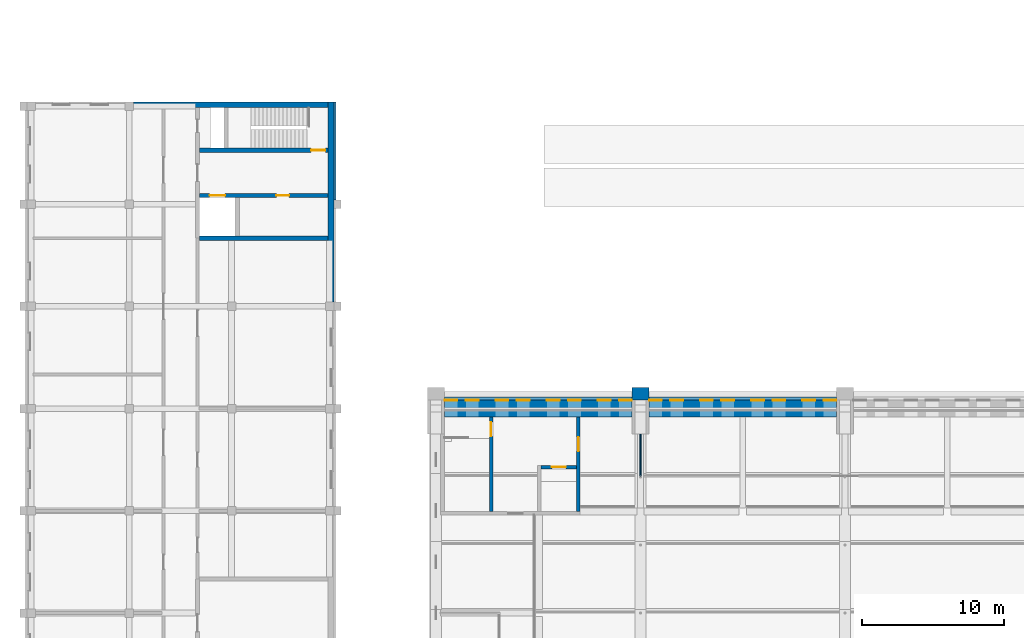
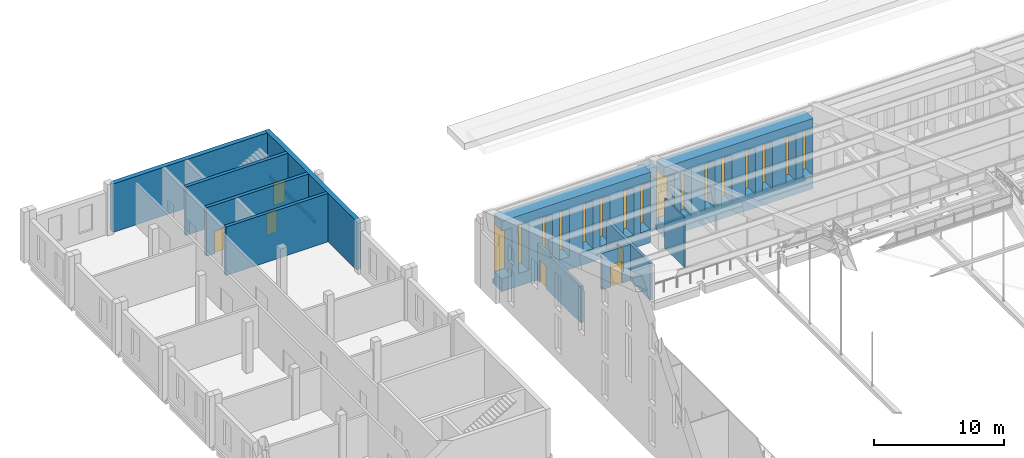
# One storey, part 131 of 149: 16 windows, 15 walls, 6 doors, 22 openings.
"""IFC4 building model written with IfcOpenShell, lengths in metres."""

from ifc_helpers import new_model, si_unit, direction, frame, frame_2d, origin, place, context, subcontext, project, spatial, rectangle, extrude, material, layer, layer_set, type_object, element, fill, save


model = new_model("IFC4")

# Units and contexts
model_context = context("Model", 3, precision=1e-05, world=origin(), true_north=direction((0.0, 1.0)))
body_context = subcontext(model_context, "Body", "Model", "MODEL_VIEW")
ifc_project = project(units=[si_unit("LENGTHUNIT", "METRE"), si_unit("AREAUNIT", "SQUARE_METRE"), si_unit("VOLUMEUNIT", "CUBIC_METRE"), si_unit("PLANEANGLEUNIT", "RADIAN"), si_unit("MASSUNIT", "GRAM", prefix="KILO")], contexts=[model_context])

# Site, building, storey
site_placement = place(None, origin())
site = spatial("IfcSite", under=ifc_project, at=site_placement, CompositionType="ELEMENT")
building_placement = place(site_placement, origin())
building = spatial("IfcBuilding", under=site, at=building_placement, Name="Alderwick Market Hall", CompositionType="ELEMENT")
storey_placement = place(building_placement, frame((0.0, 0.0, 9.60009765625)))
storey = spatial("IfcBuildingStorey", under=building, at=storey_placement, Name="L01", CompositionType="ELEMENT", Elevation=9.60009765625)

# Walls
ifc_material_1 = material(Name="Cast stone 5000 psi", Category="masonry")
ifc_layer_1 = layer(ifc_material_1, 0.14990234375)
ifc_layer_set_1 = layer_set([ifc_layer_1], Name="Cast stone 5000 psi")
wall_type_1 = type_object("IfcWallType", Name="B Cast Stone String Course 150", PredefinedType="SOLIDWALL", material=ifc_layer_set_1)
wall_1_placement = place(storey_placement, frame((43.27490234375, 122.699951171875, -0.150146484375), z_axis=(0.0, 0.0, 1.0), x_axis=(0.0, 1.0, 0.0)))
element("IfcWall", 1, at=wall_1_placement, inside=storey, type_object=wall_type_1, Name="B.N.string.E.04", PredefinedType="SOLIDWALL", context=body_context, shape_type="SweptSolid", body=[
    extrude(rectangle(XDim=6.900146484375, YDim=0.14990234375, at=frame_2d((3.4501953125, 0.0))), origin(), (0.0, 0.0, 1.0), 0.300048828125),
])
ifc_material_2 = material(Name="Concrete 5000 psi (f'c 35 MPa)", Category="concrete")
ifc_layer_2 = layer(ifc_material_2, 0.39990234375)
ifc_layer_set_2 = layer_set([ifc_layer_2], Name="Concrete 5000 psi (f'c 35 MPa)")
wall_type_2 = type_object("IfcWallType", Name="B RC Core Facade Wall 400", PredefinedType="SHEAR", material=ifc_layer_set_2)
wall_2_placement = place(storey_placement, frame((29.10009765625, 129.39990234375, 0.0), z_axis=(0.0, 0.0, 1.0), x_axis=(1.0, 0.0, 0.0)))
element("IfcWall", 2, at=wall_2_placement, inside=storey, type_object=wall_type_2, Name="B.N.wall.L01.018", PredefinedType="SHEAR", context=body_context, shape_type="SweptSolid", body=[
    extrude(rectangle(XDim=13.699951171875, YDim=0.39990234375, at=frame_2d((6.85009765625, 0.0))), origin(), (0.0, 0.0, 1.0), 4.5498046875),
])
wall_3_placement = place(storey_placement, frame((43.0, 115.5, 0.0), z_axis=(0.0, 0.0, 1.0), x_axis=(0.0, 1.0, 0.0)))
element("IfcWall", 3, at=wall_3_placement, inside=storey, type_object=wall_type_2, Name="B.N.wall.L01.035", PredefinedType="SHEAR", context=body_context, shape_type="SweptSolid", body=[
    extrude(rectangle(XDim=14.10009765625, YDim=0.39990234375, at=frame_2d((7.050048828125, 0.0))), origin(), (0.0, 0.0, 1.0), 4.5498046875),
])
ifc_layer_3 = layer(ifc_material_2, 0.300048828125)
ifc_layer_set_3 = layer_set([ifc_layer_3], Name="Concrete 5000 psi (f'c 35 MPa)")
wall_type_3 = type_object("IfcWallType", Name="B RC Core Wall 300", PredefinedType="SHEAR", material=ifc_layer_set_3)
wall_4_placement = place(storey_placement, frame((33.75, 120.0, 0.0), z_axis=(0.0, 0.0, 1.0), x_axis=(1.0, 0.0, 0.0)))
element("IfcWall", 4, at=wall_4_placement, inside=storey, type_object=wall_type_3, Name="B.N.wall.L01.014", PredefinedType="SHEAR", context=body_context, shape_type="SweptSolid", body=[
    extrude(rectangle(XDim=9.050048828125, YDim=0.300048828125, at=frame_2d((4.52490234375, 0.0))), origin(), (0.0, 0.0, 1.0), 4.5498046875),
])

# Wall, openings, doors
wall_5_placement = place(storey_placement, frame((33.75, 123.0, 0.0), z_axis=(0.0, 0.0, 1.0), x_axis=(1.0, 0.0, 0.0)))
wall_5 = element("IfcWall", 5, at=wall_5_placement, inside=storey, type_object=wall_type_3, Name="B.N.wall.L01.015", PredefinedType="SHEAR", context=body_context, shape_type="SweptSolid", body=[
    extrude(rectangle(XDim=9.050048828125, YDim=0.300048828125, at=frame_2d((4.52490234375, 0.0))), origin(), (0.0, 0.0, 1.0), 4.5498046875),
])
opening_1_placement = place(wall_5_placement, frame((0.699951171875, 0.0, 0.0)))
opening_1 = element("IfcOpeningElement", 6, at=opening_1_placement, cuts=wall_5, Name="Opening B-D060", PredefinedType="OPENING", context=body_context, shape_type="SweptSolid", body=[
    extrude(rectangle(XDim=1.10009765625, YDim=2.10009765625, at=frame_2d((0.550048828125, 1.050048828125))), frame((0.0, 0.159912109375, 0.0), z_axis=(0.0, -1.0, 0.0), x_axis=(1.0, 0.0, 0.0)), (0.0, 0.0, 1.0), 0.320068359375),
])
opening_2_placement = place(wall_5_placement, frame((5.39990234375, 0.0, 0.0)))
opening_2 = element("IfcOpeningElement", 7, at=opening_2_placement, cuts=wall_5, Name="Opening B-D061", PredefinedType="OPENING", context=body_context, shape_type="SweptSolid", body=[
    extrude(rectangle(XDim=0.89990234375, YDim=2.10009765625, at=frame_2d((0.449951171875, 1.050048828125))), frame((0.0, 0.159912109375, 0.0), z_axis=(0.0, -1.0, 0.0), x_axis=(1.0, 0.0, 0.0)), (0.0, 0.0, 1.0), 0.320068359375),
])
ifc_material_3 = material(Name="Hollow metal door and frame")
door_type_1 = type_object("IfcDoorType", Name="B Door 900x2100", OperationType="SINGLE_SWING_LEFT", PredefinedType="DOOR", material=ifc_material_3)
door_1_placement = place(opening_2_placement, origin())
door_1 = element("IfcDoor", 8, at=door_1_placement, inside=storey, type_object=door_type_1, Name="Cleaners store door", OperationType="SINGLE_SWING_LEFT", OverallHeight=2.10009765625, OverallWidth=0.89990234375, PredefinedType="DOOR", context=body_context, shape_type="SweptSolid", body=[
    extrude(rectangle(XDim=0.89990234375, YDim=2.10009765625, at=frame_2d((0.449951171875, 1.050048828125))), frame((0.0, 0.02490234375, 0.0), z_axis=(0.0, -1.0, 0.0), x_axis=(1.0, 0.0, 0.0)), (0.0, 0.0, 1.0), 0.050048828125),
])
fill(opening_2, door_1)
ifc_material_4 = material(Name="Stainless steel landing door", Category="steel")
door_type_2 = type_object("IfcDoorType", Name="B Lift Landing Door 1100x2100", OperationType="SLIDING_TO_LEFT", PredefinedType="DOOR", material=ifc_material_4)
door_2_placement = place(opening_1_placement, origin())
door_2 = element("IfcDoor", 9, at=door_2_placement, inside=storey, type_object=door_type_2, Name="Lift N-1 landing door L01", OperationType="SLIDING_TO_LEFT", OverallHeight=2.10009765625, OverallWidth=1.10009765625, PredefinedType="DOOR", context=body_context, shape_type="SweptSolid", body=[
    extrude(rectangle(XDim=1.10009765625, YDim=2.10009765625, at=frame_2d((0.550048828125, 1.050048828125))), frame((0.0, 0.02490234375, 0.0), z_axis=(0.0, -1.0, 0.0), x_axis=(1.0, 0.0, 0.0)), (0.0, 0.0, 1.0), 0.050048828125),
])
fill(opening_1, door_2)

# Wall, opening, door
wall_6_placement = place(storey_placement, frame((33.75, 126.199951171875, 0.0), z_axis=(0.0, 0.0, 1.0), x_axis=(1.0, 0.0, 0.0)))
wall_6 = element("IfcWall", 10, at=wall_6_placement, inside=storey, type_object=wall_type_3, Name="B.N.wall.L01.016", PredefinedType="SHEAR", context=body_context, shape_type="SweptSolid", body=[
    extrude(rectangle(XDim=9.050048828125, YDim=0.300048828125, at=frame_2d((4.52490234375, 0.0))), origin(), (0.0, 0.0, 1.0), 4.5498046875),
])
opening_3_placement = place(wall_6_placement, frame((7.85009765625, 0.0, 0.0)))
opening_3 = element("IfcOpeningElement", 11, at=opening_3_placement, cuts=wall_6, Name="Opening B-D057", PredefinedType="OPENING", context=body_context, shape_type="SweptSolid", body=[
    extrude(rectangle(XDim=1.0, YDim=2.10009765625, at=frame_2d((0.5, 1.050048828125))), frame((0.0, 0.159912109375, 0.0), z_axis=(0.0, -1.0, 0.0), x_axis=(1.0, 0.0, 0.0)), (0.0, 0.0, 1.0), 0.320068359375),
])
ifc_material_5 = material(Name="Hollow metal fire door and frame")
door_type_3 = type_object("IfcDoorType", Name="B Fire Door 1000x2100", OperationType="SINGLE_SWING_LEFT", PredefinedType="DOOR", material=ifc_material_5)
door_3_placement = place(opening_3_placement, origin())
door_3 = element("IfcDoor", 12, at=door_3_placement, inside=storey, type_object=door_type_3, Name="Stair N-1 lobby door", OperationType="SINGLE_SWING_LEFT", OverallHeight=2.10009765625, OverallWidth=1.0, PredefinedType="DOOR", context=body_context, shape_type="SweptSolid", body=[
    extrude(rectangle(XDim=1.0, YDim=2.10009765625, at=frame_2d((0.5, 1.050048828125))), frame((0.0, 0.02490234375, 0.0), z_axis=(0.0, -1.0, 0.0), x_axis=(1.0, 0.0, 0.0)), (0.0, 0.0, 1.0), 0.050048828125),
])
fill(opening_3, door_3)

# Wall
ifc_material_6 = material(Name="Face brick masonry, ASTM C216 grade SW (f'm 17 MPa)", Category="masonry")
ifc_layer_4 = layer(ifc_material_6, 0.89990234375)
ifc_layer_set_4 = layer_set([ifc_layer_4], Name="Face brick masonry, ASTM C216 grade SW (f'm 17 MPa)")
wall_type_4 = type_object("IfcWallType", Name="H Buttress pier 900", PredefinedType="SOLIDWALL", material=ifc_layer_set_4)
wall_7_placement = place(storey_placement, frame((64.199951171875, 109.050048828125, 0.0), z_axis=(0.0, 0.0, 1.0), x_axis=(1.0, 0.0, 0.0)))
element("IfcWall", 13, at=wall_7_placement, inside=storey, type_object=wall_type_4, Name="Buttress pier N2", PredefinedType="SOLIDWALL", context=body_context, shape_type="SweptSolid", body=[
    extrude(rectangle(XDim=1.199951171875, YDim=0.89990234375, at=frame_2d((0.60009765625, 0.0))), origin(), (0.0, 0.0, 1.0), 6.0),
])

# Wall, opening, door
ifc_layer_5 = layer(ifc_material_2, 0.25)
ifc_layer_set_5 = layer_set([ifc_layer_5], Name="Concrete 5000 psi (f'c 35 MPa)")
wall_type_5 = type_object("IfcWallType", Name="H Core wall 250", PredefinedType="SOLIDWALL", material=ifc_layer_set_5)
wall_8_placement = place(storey_placement, frame((60.425048828125, 100.760009765625, 0.0), z_axis=(0.0, 0.0, 1.0), x_axis=(0.0, 1.0, 0.0)))
wall_8 = element("IfcWall", 14, at=wall_8_placement, inside=storey, type_object=wall_type_5, Name="Core wall H-NW", PredefinedType="SOLIDWALL", context=body_context, shape_type="SweptSolid", body=[
    extrude(rectangle(XDim=6.639892578125, YDim=0.25, at=frame_2d((3.31982421875, 0.0))), origin(), (0.0, 0.0, 1.0), 3.39990234375),
])
opening_4_placement = place(wall_8_placement, frame((4.239990234375, 0.0, 0.0)))
opening_4 = element("IfcOpeningElement", 15, at=opening_4_placement, cuts=wall_8, Name="Opening H-D035", PredefinedType="OPENING", context=body_context, shape_type="SweptSolid", body=[
    extrude(rectangle(XDim=1.0, YDim=2.10009765625, at=frame_2d((0.5, 1.050048828125))), frame((0.0, 0.135009765625, 0.0), z_axis=(0.0, -1.0, 0.0), x_axis=(1.0, 0.0, 0.0)), (0.0, 0.0, 1.0), 0.27001953125),
])
ifc_material_7 = material(Name="Steel, fire-rated", Category="steel")
door_type_4 = type_object("IfcDoorType", Name="H Stair door FD90 1000x2100", OperationType="SINGLE_SWING_LEFT", PredefinedType="DOOR", material=ifc_material_7)
door_4_placement = place(opening_4_placement, origin())
door_4 = element("IfcDoor", 16, at=door_4_placement, inside=storey, type_object=door_type_4, Name="Door H-D035", OperationType="SINGLE_SWING_LEFT", OverallHeight=2.10009765625, OverallWidth=1.0, PredefinedType="DOOR", context=body_context, shape_type="SweptSolid", body=[
    extrude(rectangle(XDim=1.0, YDim=2.10009765625, at=frame_2d((0.5, 1.050048828125))), frame((0.0, 0.02490234375, 0.0), z_axis=(0.0, -1.0, 0.0), x_axis=(1.0, 0.0, 0.0)), (0.0, 0.0, 1.0), 0.050048828125),
])
fill(opening_4, door_4)

wall_9_placement = place(storey_placement, frame((54.27490234375, 100.760009765625, 0.0), z_axis=(0.0, 0.0, 1.0), x_axis=(0.0, 1.0, 0.0)))
wall_9 = element("IfcWall", 17, at=wall_9_placement, inside=storey, type_object=wall_type_5, Name="Core wall H-NW", PredefinedType="SOLIDWALL", context=body_context, shape_type="SweptSolid", body=[
    extrude(rectangle(XDim=6.639892578125, YDim=0.25, at=frame_2d((3.31982421875, 0.0))), origin(), (0.0, 0.0, 1.0), 3.39990234375),
])
opening_5_placement = place(wall_9_placement, frame((5.2900390625, 0.0, 0.0)))
opening_5 = element("IfcOpeningElement", 18, at=opening_5_placement, cuts=wall_9, Name="Opening H-D034", PredefinedType="OPENING", context=body_context, shape_type="SweptSolid", body=[
    extrude(rectangle(XDim=1.0, YDim=2.10009765625, at=frame_2d((0.5, 1.050048828125))), frame((0.0, 0.135009765625, 0.0), z_axis=(0.0, -1.0, 0.0), x_axis=(1.0, 0.0, 0.0)), (0.0, 0.0, 1.0), 0.27001953125),
])
door_5_placement = place(opening_5_placement, origin())
door_5 = element("IfcDoor", 19, at=door_5_placement, inside=storey, type_object=door_type_4, Name="Door H-D034", OperationType="SINGLE_SWING_LEFT", OverallHeight=2.10009765625, OverallWidth=1.0, PredefinedType="DOOR", context=body_context, shape_type="SweptSolid", body=[
    extrude(rectangle(XDim=1.0, YDim=2.10009765625, at=frame_2d((0.5, 1.050048828125))), frame((0.0, 0.02490234375, 0.0), z_axis=(0.0, -1.0, 0.0), x_axis=(1.0, 0.0, 0.0)), (0.0, 0.0, 1.0), 0.050048828125),
])
fill(opening_5, door_5)

wall_10_placement = place(storey_placement, frame((57.800048828125, 103.885009765625, 0.0), z_axis=(0.0, 0.0, 1.0), x_axis=(1.0, 0.0, 0.0)))
wall_10 = element("IfcWall", 20, at=wall_10_placement, inside=storey, type_object=wall_type_5, Name="Core wall H-NW", PredefinedType="SOLIDWALL", context=body_context, shape_type="SweptSolid", body=[
    extrude(rectangle(XDim=2.5, YDim=0.25, at=frame_2d((1.25, 0.0))), origin(), (0.0, 0.0, 1.0), 3.39990234375),
])
opening_6_placement = place(wall_10_placement, frame((0.75, 0.0, 0.0)))
opening_6 = element("IfcOpeningElement", 21, at=opening_6_placement, cuts=wall_10, Name="Opening H-D033", PredefinedType="OPENING", context=body_context, shape_type="SweptSolid", body=[
    extrude(rectangle(XDim=1.0, YDim=2.10009765625, at=frame_2d((0.5, 1.050048828125))), frame((0.0, 0.135009765625, 0.0), z_axis=(0.0, -1.0, 0.0), x_axis=(1.0, 0.0, 0.0)), (0.0, 0.0, 1.0), 0.27001953125),
])
ifc_material_8 = material(Name="Timber, solid core", Category="wood")
door_type_5 = type_object("IfcDoorType", Name="H Room door 1000x2100", OperationType="SINGLE_SWING_LEFT", PredefinedType="DOOR", material=ifc_material_8)
door_6_placement = place(opening_6_placement, origin())
door_6 = element("IfcDoor", 22, at=door_6_placement, inside=storey, type_object=door_type_5, Name="Door H-D033", OperationType="SINGLE_SWING_LEFT", OverallHeight=2.10009765625, OverallWidth=1.0, PredefinedType="DOOR", context=body_context, shape_type="SweptSolid", body=[
    extrude(rectangle(XDim=1.0, YDim=2.10009765625, at=frame_2d((0.5, 1.050048828125))), frame((0.0, 0.02490234375, 0.0), z_axis=(0.0, -1.0, 0.0), x_axis=(1.0, 0.0, 0.0)), (0.0, 0.0, 1.0), 0.050048828125),
])
fill(opening_6, door_6)

# Wall, openings, windows
ifc_layer_6 = layer(ifc_material_2, 1.199951171875)
ifc_layer_set_6 = layer_set([ifc_layer_6], Name="Concrete 5000 psi (f'c 35 MPa)")
wall_type_6 = type_object("IfcWallType", Name="H Long wall 1200", PredefinedType="SOLIDWALL", material=ifc_layer_set_6)
wall_11_placement = place(storey_placement, frame((51.0, 108.0, 0.0), z_axis=(0.0, 0.0, 1.0), x_axis=(1.0, 0.0, 0.0)))
wall_11 = element("IfcWall", 23, at=wall_11_placement, inside=storey, type_object=wall_type_6, Name="Long wall N L01 1", PredefinedType="SOLIDWALL", context=body_context, shape_type="SweptSolid", body=[
    extrude(rectangle(XDim=13.199951171875, YDim=1.199951171875, at=frame_2d((6.60009765625, 0.0))), origin(), (0.0, 0.0, 1.0), 6.599853515625),
])
opening_7_placement = place(wall_11_placement, frame((0.0, 0.0, 1.199951171875)))
opening_7 = element("IfcOpeningElement", 24, at=opening_7_placement, cuts=wall_11, Name="Opening H-W161", PredefinedType="OPENING", context=body_context, shape_type="SweptSolid", body=[
    extrude(rectangle(XDim=0.89990234375, YDim=4.5, at=frame_2d((0.449951171875, 2.25))), frame((0.0, 0.60986328125, 0.0), z_axis=(0.0, -1.0, 0.0), x_axis=(1.0, 0.0, 0.0)), (0.0, 0.0, 1.0), 1.219970703125),
])
opening_8_placement = place(wall_11_placement, frame((1.5, 0.0, 1.199951171875)))
opening_8 = element("IfcOpeningElement", 25, at=opening_8_placement, cuts=wall_11, Name="Opening H-W162", PredefinedType="OPENING", context=body_context, shape_type="SweptSolid", body=[
    extrude(rectangle(XDim=0.89990234375, YDim=4.5, at=frame_2d((0.449951171875, 2.25))), frame((0.0, 0.60986328125, 0.0), z_axis=(0.0, -1.0, 0.0), x_axis=(1.0, 0.0, 0.0)), (0.0, 0.0, 1.0), 1.219970703125),
])
opening_9_placement = place(wall_11_placement, frame((3.60009765625, 0.0, 1.199951171875)))
opening_9 = element("IfcOpeningElement", 26, at=opening_9_placement, cuts=wall_11, Name="Opening H-W163", PredefinedType="OPENING", context=body_context, shape_type="SweptSolid", body=[
    extrude(rectangle(XDim=0.89990234375, YDim=4.5, at=frame_2d((0.449951171875, 2.25))), frame((0.0, 0.60986328125, 0.0), z_axis=(0.0, -1.0, 0.0), x_axis=(1.0, 0.0, 0.0)), (0.0, 0.0, 1.0), 1.219970703125),
])
opening_10_placement = place(wall_11_placement, frame((5.10009765625, 0.0, 1.199951171875)))
opening_10 = element("IfcOpeningElement", 27, at=opening_10_placement, cuts=wall_11, Name="Opening H-W164", PredefinedType="OPENING", context=body_context, shape_type="SweptSolid", body=[
    extrude(rectangle(XDim=0.89990234375, YDim=4.5, at=frame_2d((0.449951171875, 2.25))), frame((0.0, 0.60986328125, 0.0), z_axis=(0.0, -1.0, 0.0), x_axis=(1.0, 0.0, 0.0)), (0.0, 0.0, 1.0), 1.219970703125),
])
opening_11_placement = place(wall_11_placement, frame((7.199951171875, 0.0, 1.199951171875)))
opening_11 = element("IfcOpeningElement", 28, at=opening_11_placement, cuts=wall_11, Name="Opening H-W165", PredefinedType="OPENING", context=body_context, shape_type="SweptSolid", body=[
    extrude(rectangle(XDim=0.89990234375, YDim=4.5, at=frame_2d((0.449951171875, 2.25))), frame((0.0, 0.60986328125, 0.0), z_axis=(0.0, -1.0, 0.0), x_axis=(1.0, 0.0, 0.0)), (0.0, 0.0, 1.0), 1.219970703125),
])
opening_12_placement = place(wall_11_placement, frame((8.699951171875, 0.0, 1.199951171875)))
opening_12 = element("IfcOpeningElement", 29, at=opening_12_placement, cuts=wall_11, Name="Opening H-W166", PredefinedType="OPENING", context=body_context, shape_type="SweptSolid", body=[
    extrude(rectangle(XDim=0.89990234375, YDim=4.5, at=frame_2d((0.449951171875, 2.25))), frame((0.0, 0.60986328125, 0.0), z_axis=(0.0, -1.0, 0.0), x_axis=(1.0, 0.0, 0.0)), (0.0, 0.0, 1.0), 1.219970703125),
])
opening_13_placement = place(wall_11_placement, frame((10.800048828125, 0.0, 1.199951171875)))
opening_13 = element("IfcOpeningElement", 30, at=opening_13_placement, cuts=wall_11, Name="Opening H-W167", PredefinedType="OPENING", context=body_context, shape_type="SweptSolid", body=[
    extrude(rectangle(XDim=0.89990234375, YDim=4.5, at=frame_2d((0.449951171875, 2.25))), frame((0.0, 0.60986328125, 0.0), z_axis=(0.0, -1.0, 0.0), x_axis=(1.0, 0.0, 0.0)), (0.0, 0.0, 1.0), 1.219970703125),
])
opening_14_placement = place(wall_11_placement, frame((12.300048828125, 0.0, 1.199951171875)))
opening_14 = element("IfcOpeningElement", 31, at=opening_14_placement, cuts=wall_11, Name="Opening H-W168", PredefinedType="OPENING", context=body_context, shape_type="SweptSolid", body=[
    extrude(rectangle(XDim=0.89990234375, YDim=4.5, at=frame_2d((0.449951171875, 2.25))), frame((0.0, 0.60986328125, 0.0), z_axis=(0.0, -1.0, 0.0), x_axis=(1.0, 0.0, 0.0)), (0.0, 0.0, 1.0), 1.219970703125),
])
ifc_material_9 = material(Name="Aluminium frame with insulated glass", Category="aluminium")
window_type = type_object("IfcWindowType", Name="H Window 900x4500", PartitioningType="SINGLE_PANEL", PredefinedType="WINDOW", material=ifc_material_9)
window_1_placement = place(opening_7_placement, origin())
window_1 = element("IfcWindow", 32, at=window_1_placement, inside=storey, type_object=window_type, Name="Window H-W161", OverallHeight=4.5, OverallWidth=0.89990234375, PartitioningType="SINGLE_PANEL", PredefinedType="WINDOW", context=body_context, shape_type="SweptSolid", body=[
    extrude(rectangle(XDim=0.89990234375, YDim=4.5, at=frame_2d((0.449951171875, 2.25))), frame((0.0, 0.610107421875, 0.0), z_axis=(0.0, -1.0, 0.0), x_axis=(1.0, 0.0, 0.0)), (0.0, 0.0, 1.0), 0.06005859375),
])
fill(opening_7, window_1)
window_2_placement = place(opening_8_placement, origin())
window_2 = element("IfcWindow", 33, at=window_2_placement, inside=storey, type_object=window_type, Name="Window H-W162", OverallHeight=4.5, OverallWidth=0.89990234375, PartitioningType="SINGLE_PANEL", PredefinedType="WINDOW", context=body_context, shape_type="SweptSolid", body=[
    extrude(rectangle(XDim=0.89990234375, YDim=4.5, at=frame_2d((0.449951171875, 2.25))), frame((0.0, 0.610107421875, 0.0), z_axis=(0.0, -1.0, 0.0), x_axis=(1.0, 0.0, 0.0)), (0.0, 0.0, 1.0), 0.06005859375),
])
fill(opening_8, window_2)
window_3_placement = place(opening_9_placement, origin())
window_3 = element("IfcWindow", 34, at=window_3_placement, inside=storey, type_object=window_type, Name="Window H-W163", OverallHeight=4.5, OverallWidth=0.89990234375, PartitioningType="SINGLE_PANEL", PredefinedType="WINDOW", context=body_context, shape_type="SweptSolid", body=[
    extrude(rectangle(XDim=0.89990234375, YDim=4.5, at=frame_2d((0.449951171875, 2.25))), frame((0.0, 0.610107421875, 0.0), z_axis=(0.0, -1.0, 0.0), x_axis=(1.0, 0.0, 0.0)), (0.0, 0.0, 1.0), 0.06005859375),
])
fill(opening_9, window_3)
window_4_placement = place(opening_10_placement, origin())
window_4 = element("IfcWindow", 35, at=window_4_placement, inside=storey, type_object=window_type, Name="Window H-W164", OverallHeight=4.5, OverallWidth=0.89990234375, PartitioningType="SINGLE_PANEL", PredefinedType="WINDOW", context=body_context, shape_type="SweptSolid", body=[
    extrude(rectangle(XDim=0.89990234375, YDim=4.5, at=frame_2d((0.449951171875, 2.25))), frame((0.0, 0.610107421875, 0.0), z_axis=(0.0, -1.0, 0.0), x_axis=(1.0, 0.0, 0.0)), (0.0, 0.0, 1.0), 0.06005859375),
])
fill(opening_10, window_4)
window_5_placement = place(opening_11_placement, origin())
window_5 = element("IfcWindow", 36, at=window_5_placement, inside=storey, type_object=window_type, Name="Window H-W165", OverallHeight=4.5, OverallWidth=0.89990234375, PartitioningType="SINGLE_PANEL", PredefinedType="WINDOW", context=body_context, shape_type="SweptSolid", body=[
    extrude(rectangle(XDim=0.89990234375, YDim=4.5, at=frame_2d((0.449951171875, 2.25))), frame((0.0, 0.610107421875, 0.0), z_axis=(0.0, -1.0, 0.0), x_axis=(1.0, 0.0, 0.0)), (0.0, 0.0, 1.0), 0.06005859375),
])
fill(opening_11, window_5)
window_6_placement = place(opening_12_placement, origin())
window_6 = element("IfcWindow", 37, at=window_6_placement, inside=storey, type_object=window_type, Name="Window H-W166", OverallHeight=4.5, OverallWidth=0.89990234375, PartitioningType="SINGLE_PANEL", PredefinedType="WINDOW", context=body_context, shape_type="SweptSolid", body=[
    extrude(rectangle(XDim=0.89990234375, YDim=4.5, at=frame_2d((0.449951171875, 2.25))), frame((0.0, 0.610107421875, 0.0), z_axis=(0.0, -1.0, 0.0), x_axis=(1.0, 0.0, 0.0)), (0.0, 0.0, 1.0), 0.06005859375),
])
fill(opening_12, window_6)
window_7_placement = place(opening_13_placement, origin())
window_7 = element("IfcWindow", 38, at=window_7_placement, inside=storey, type_object=window_type, Name="Window H-W167", OverallHeight=4.5, OverallWidth=0.89990234375, PartitioningType="SINGLE_PANEL", PredefinedType="WINDOW", context=body_context, shape_type="SweptSolid", body=[
    extrude(rectangle(XDim=0.89990234375, YDim=4.5, at=frame_2d((0.449951171875, 2.25))), frame((0.0, 0.610107421875, 0.0), z_axis=(0.0, -1.0, 0.0), x_axis=(1.0, 0.0, 0.0)), (0.0, 0.0, 1.0), 0.06005859375),
])
fill(opening_13, window_7)
window_8_placement = place(opening_14_placement, origin())
window_8 = element("IfcWindow", 39, at=window_8_placement, inside=storey, type_object=window_type, Name="Window H-W168", OverallHeight=4.5, OverallWidth=0.89990234375, PartitioningType="SINGLE_PANEL", PredefinedType="WINDOW", context=body_context, shape_type="SweptSolid", body=[
    extrude(rectangle(XDim=0.89990234375, YDim=4.5, at=frame_2d((0.449951171875, 2.25))), frame((0.0, 0.610107421875, 0.0), z_axis=(0.0, -1.0, 0.0), x_axis=(1.0, 0.0, 0.0)), (0.0, 0.0, 1.0), 0.06005859375),
])
fill(opening_14, window_8)

wall_12_placement = place(storey_placement, frame((65.39990234375, 108.0, 0.0), z_axis=(0.0, 0.0, 1.0), x_axis=(1.0, 0.0, 0.0)))
wall_12 = element("IfcWall", 40, at=wall_12_placement, inside=storey, type_object=wall_type_6, Name="Long wall N L01 2", PredefinedType="SOLIDWALL", context=body_context, shape_type="SweptSolid", body=[
    extrude(rectangle(XDim=13.2001953125, YDim=1.199951171875, at=frame_2d((6.60009765625, 0.0))), origin(), (0.0, 0.0, 1.0), 6.599853515625),
])
opening_15_placement = place(wall_12_placement, frame((0.0, 0.0, 1.199951171875)))
opening_15 = element("IfcOpeningElement", 41, at=opening_15_placement, cuts=wall_12, Name="Opening H-W169", PredefinedType="OPENING", context=body_context, shape_type="SweptSolid", body=[
    extrude(rectangle(XDim=0.89990234375, YDim=4.5, at=frame_2d((0.449951171875, 2.25))), frame((0.0, 0.60986328125, 0.0), z_axis=(0.0, -1.0, 0.0), x_axis=(1.0, 0.0, 0.0)), (0.0, 0.0, 1.0), 1.219970703125),
])
opening_16_placement = place(wall_12_placement, frame((1.5, 0.0, 1.199951171875)))
opening_16 = element("IfcOpeningElement", 42, at=opening_16_placement, cuts=wall_12, Name="Opening H-W170", PredefinedType="OPENING", context=body_context, shape_type="SweptSolid", body=[
    extrude(rectangle(XDim=0.89990234375, YDim=4.5, at=frame_2d((0.449951171875, 2.25))), frame((0.0, 0.60986328125, 0.0), z_axis=(0.0, -1.0, 0.0), x_axis=(1.0, 0.0, 0.0)), (0.0, 0.0, 1.0), 1.219970703125),
])
opening_17_placement = place(wall_12_placement, frame((3.60009765625, 0.0, 1.199951171875)))
opening_17 = element("IfcOpeningElement", 43, at=opening_17_placement, cuts=wall_12, Name="Opening H-W171", PredefinedType="OPENING", context=body_context, shape_type="SweptSolid", body=[
    extrude(rectangle(XDim=0.89990234375, YDim=4.5, at=frame_2d((0.449951171875, 2.25))), frame((0.0, 0.60986328125, 0.0), z_axis=(0.0, -1.0, 0.0), x_axis=(1.0, 0.0, 0.0)), (0.0, 0.0, 1.0), 1.219970703125),
])
opening_18_placement = place(wall_12_placement, frame((5.10009765625, 0.0, 1.199951171875)))
opening_18 = element("IfcOpeningElement", 44, at=opening_18_placement, cuts=wall_12, Name="Opening H-W172", PredefinedType="OPENING", context=body_context, shape_type="SweptSolid", body=[
    extrude(rectangle(XDim=0.89990234375, YDim=4.5, at=frame_2d((0.449951171875, 2.25))), frame((0.0, 0.60986328125, 0.0), z_axis=(0.0, -1.0, 0.0), x_axis=(1.0, 0.0, 0.0)), (0.0, 0.0, 1.0), 1.219970703125),
])
opening_19_placement = place(wall_12_placement, frame((7.199951171875, 0.0, 1.199951171875)))
opening_19 = element("IfcOpeningElement", 45, at=opening_19_placement, cuts=wall_12, Name="Opening H-W173", PredefinedType="OPENING", context=body_context, shape_type="SweptSolid", body=[
    extrude(rectangle(XDim=0.89990234375, YDim=4.5, at=frame_2d((0.449951171875, 2.25))), frame((0.0, 0.60986328125, 0.0), z_axis=(0.0, -1.0, 0.0), x_axis=(1.0, 0.0, 0.0)), (0.0, 0.0, 1.0), 1.219970703125),
])
opening_20_placement = place(wall_12_placement, frame((8.699951171875, 0.0, 1.199951171875)))
opening_20 = element("IfcOpeningElement", 46, at=opening_20_placement, cuts=wall_12, Name="Opening H-W174", PredefinedType="OPENING", context=body_context, shape_type="SweptSolid", body=[
    extrude(rectangle(XDim=0.89990234375, YDim=4.5, at=frame_2d((0.449951171875, 2.25))), frame((0.0, 0.60986328125, 0.0), z_axis=(0.0, -1.0, 0.0), x_axis=(1.0, 0.0, 0.0)), (0.0, 0.0, 1.0), 1.219970703125),
])
opening_21_placement = place(wall_12_placement, frame((10.800048828125, 0.0, 1.199951171875)))
opening_21 = element("IfcOpeningElement", 47, at=opening_21_placement, cuts=wall_12, Name="Opening H-W175", PredefinedType="OPENING", context=body_context, shape_type="SweptSolid", body=[
    extrude(rectangle(XDim=0.89990234375, YDim=4.5, at=frame_2d((0.449951171875, 2.25))), frame((0.0, 0.60986328125, 0.0), z_axis=(0.0, -1.0, 0.0), x_axis=(1.0, 0.0, 0.0)), (0.0, 0.0, 1.0), 1.219970703125),
])
opening_22_placement = place(wall_12_placement, frame((12.300048828125, 0.0, 1.199951171875)))
opening_22 = element("IfcOpeningElement", 48, at=opening_22_placement, cuts=wall_12, Name="Opening H-W176", PredefinedType="OPENING", context=body_context, shape_type="SweptSolid", body=[
    extrude(rectangle(XDim=0.89990234375, YDim=4.5, at=frame_2d((0.449951171875, 2.25))), frame((0.0, 0.60986328125, 0.0), z_axis=(0.0, -1.0, 0.0), x_axis=(1.0, 0.0, 0.0)), (0.0, 0.0, 1.0), 1.219970703125),
])
window_9_placement = place(opening_15_placement, origin())
window_9 = element("IfcWindow", 49, at=window_9_placement, inside=storey, type_object=window_type, Name="Window H-W169", OverallHeight=4.5, OverallWidth=0.89990234375, PartitioningType="SINGLE_PANEL", PredefinedType="WINDOW", context=body_context, shape_type="SweptSolid", body=[
    extrude(rectangle(XDim=0.89990234375, YDim=4.5, at=frame_2d((0.449951171875, 2.25))), frame((0.0, 0.610107421875, 0.0), z_axis=(0.0, -1.0, 0.0), x_axis=(1.0, 0.0, 0.0)), (0.0, 0.0, 1.0), 0.06005859375),
])
fill(opening_15, window_9)
window_10_placement = place(opening_16_placement, origin())
window_10 = element("IfcWindow", 50, at=window_10_placement, inside=storey, type_object=window_type, Name="Window H-W170", OverallHeight=4.5, OverallWidth=0.89990234375, PartitioningType="SINGLE_PANEL", PredefinedType="WINDOW", context=body_context, shape_type="SweptSolid", body=[
    extrude(rectangle(XDim=0.89990234375, YDim=4.5, at=frame_2d((0.449951171875, 2.25))), frame((0.0, 0.610107421875, 0.0), z_axis=(0.0, -1.0, 0.0), x_axis=(1.0, 0.0, 0.0)), (0.0, 0.0, 1.0), 0.06005859375),
])
fill(opening_16, window_10)
window_11_placement = place(opening_17_placement, origin())
window_11 = element("IfcWindow", 51, at=window_11_placement, inside=storey, type_object=window_type, Name="Window H-W171", OverallHeight=4.5, OverallWidth=0.89990234375, PartitioningType="SINGLE_PANEL", PredefinedType="WINDOW", context=body_context, shape_type="SweptSolid", body=[
    extrude(rectangle(XDim=0.89990234375, YDim=4.5, at=frame_2d((0.449951171875, 2.25))), frame((0.0, 0.610107421875, 0.0), z_axis=(0.0, -1.0, 0.0), x_axis=(1.0, 0.0, 0.0)), (0.0, 0.0, 1.0), 0.06005859375),
])
fill(opening_17, window_11)
window_12_placement = place(opening_18_placement, origin())
window_12 = element("IfcWindow", 52, at=window_12_placement, inside=storey, type_object=window_type, Name="Window H-W172", OverallHeight=4.5, OverallWidth=0.89990234375, PartitioningType="SINGLE_PANEL", PredefinedType="WINDOW", context=body_context, shape_type="SweptSolid", body=[
    extrude(rectangle(XDim=0.89990234375, YDim=4.5, at=frame_2d((0.449951171875, 2.25))), frame((0.0, 0.610107421875, 0.0), z_axis=(0.0, -1.0, 0.0), x_axis=(1.0, 0.0, 0.0)), (0.0, 0.0, 1.0), 0.06005859375),
])
fill(opening_18, window_12)
window_13_placement = place(opening_19_placement, origin())
window_13 = element("IfcWindow", 53, at=window_13_placement, inside=storey, type_object=window_type, Name="Window H-W173", OverallHeight=4.5, OverallWidth=0.89990234375, PartitioningType="SINGLE_PANEL", PredefinedType="WINDOW", context=body_context, shape_type="SweptSolid", body=[
    extrude(rectangle(XDim=0.89990234375, YDim=4.5, at=frame_2d((0.449951171875, 2.25))), frame((0.0, 0.610107421875, 0.0), z_axis=(0.0, -1.0, 0.0), x_axis=(1.0, 0.0, 0.0)), (0.0, 0.0, 1.0), 0.06005859375),
])
fill(opening_19, window_13)
window_14_placement = place(opening_20_placement, origin())
window_14 = element("IfcWindow", 54, at=window_14_placement, inside=storey, type_object=window_type, Name="Window H-W174", OverallHeight=4.5, OverallWidth=0.89990234375, PartitioningType="SINGLE_PANEL", PredefinedType="WINDOW", context=body_context, shape_type="SweptSolid", body=[
    extrude(rectangle(XDim=0.89990234375, YDim=4.5, at=frame_2d((0.449951171875, 2.25))), frame((0.0, 0.610107421875, 0.0), z_axis=(0.0, -1.0, 0.0), x_axis=(1.0, 0.0, 0.0)), (0.0, 0.0, 1.0), 0.06005859375),
])
fill(opening_20, window_14)
window_15_placement = place(opening_21_placement, origin())
window_15 = element("IfcWindow", 55, at=window_15_placement, inside=storey, type_object=window_type, Name="Window H-W175", OverallHeight=4.5, OverallWidth=0.89990234375, PartitioningType="SINGLE_PANEL", PredefinedType="WINDOW", context=body_context, shape_type="SweptSolid", body=[
    extrude(rectangle(XDim=0.89990234375, YDim=4.5, at=frame_2d((0.449951171875, 2.25))), frame((0.0, 0.610107421875, 0.0), z_axis=(0.0, -1.0, 0.0), x_axis=(1.0, 0.0, 0.0)), (0.0, 0.0, 1.0), 0.06005859375),
])
fill(opening_21, window_15)
window_16_placement = place(opening_22_placement, origin())
window_16 = element("IfcWindow", 56, at=window_16_placement, inside=storey, type_object=window_type, Name="Window H-W176", OverallHeight=4.5, OverallWidth=0.89990234375, PartitioningType="SINGLE_PANEL", PredefinedType="WINDOW", context=body_context, shape_type="SweptSolid", body=[
    extrude(rectangle(XDim=0.89990234375, YDim=4.5, at=frame_2d((0.449951171875, 2.25))), frame((0.0, 0.610107421875, 0.0), z_axis=(0.0, -1.0, 0.0), x_axis=(1.0, 0.0, 0.0)), (0.0, 0.0, 1.0), 0.06005859375),
])
fill(opening_22, window_16)

# Walls
ifc_material_10 = material(Name="Gypsum board partition")
ifc_layer_7 = layer(ifc_material_10, 0.10009765625)
ifc_layer_set_7 = layer_set([ifc_layer_7], Name="Gypsum board partition")
wall_type_7 = type_object("IfcWallType", Name="H Partition 100", PredefinedType="PARTITIONING", material=ifc_layer_set_7)
wall_13_placement = place(storey_placement, frame((64.800048828125, 106.199951171875, 0.0), z_axis=(0.0, 0.0, 1.0), x_axis=(0.0, -1.0, 0.0)))
element("IfcWall", 57, at=wall_13_placement, inside=storey, type_object=wall_type_7, Name="Partition", PredefinedType="PARTITIONING", context=body_context, shape_type="SweptSolid", body=[
    extrude(rectangle(XDim=3.0, YDim=0.10009765625, at=frame_2d((1.5, 0.0))), origin(), (0.0, 0.0, 1.0), 4.699951171875),
])
ifc_material_11 = material(Name="Cast stone 5000 psi (f'c 35 MPa), ASTM C1364", Category="masonry")
ifc_layer_8 = layer(ifc_material_11, 0.199951171875)
ifc_layer_set_8 = layer_set([ifc_layer_8], Name="Cast stone 5000 psi (f'c 35 MPa), ASTM C1364")
wall_type_8 = type_object("IfcWallType", Name="H String course 200", PredefinedType="SOLIDWALL", material=ifc_layer_set_8)
wall_14_placement = place(storey_placement, frame((51.0, 108.699951171875, 0.0), z_axis=(0.0, 0.0, 1.0), x_axis=(1.0, 0.0, 0.0)))
element("IfcWall", 58, at=wall_14_placement, inside=storey, type_object=wall_type_8, Name="String course N1", PredefinedType="SOLIDWALL", context=body_context, shape_type="SweptSolid", body=[
    extrude(rectangle(XDim=13.199951171875, YDim=0.199951171875, at=frame_2d((6.60009765625, 0.0))), origin(), (0.0, 0.0, 1.0), 0.39990234375),
])
wall_15_placement = place(storey_placement, frame((65.39990234375, 108.699951171875, 0.0), z_axis=(0.0, 0.0, 1.0), x_axis=(1.0, 0.0, 0.0)))
element("IfcWall", 59, at=wall_15_placement, inside=storey, type_object=wall_type_8, Name="String course N2", PredefinedType="SOLIDWALL", context=body_context, shape_type="SweptSolid", body=[
    extrude(rectangle(XDim=13.2001953125, YDim=0.199951171875, at=frame_2d((6.60009765625, 0.0))), origin(), (0.0, 0.0, 1.0), 0.39990234375),
])

save(model, "model.ifc")
